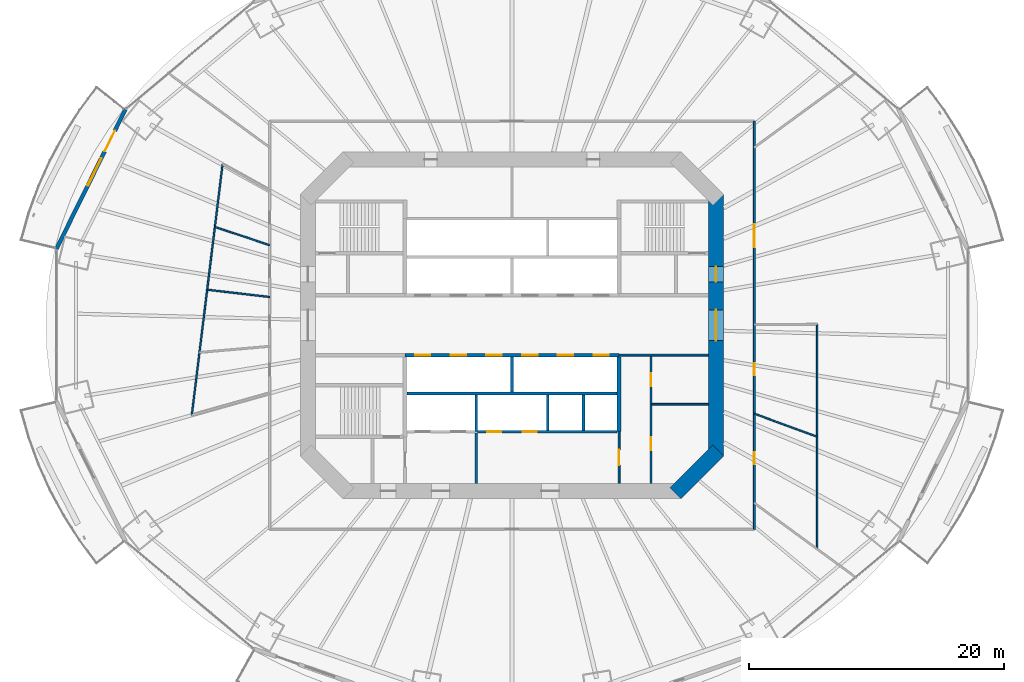
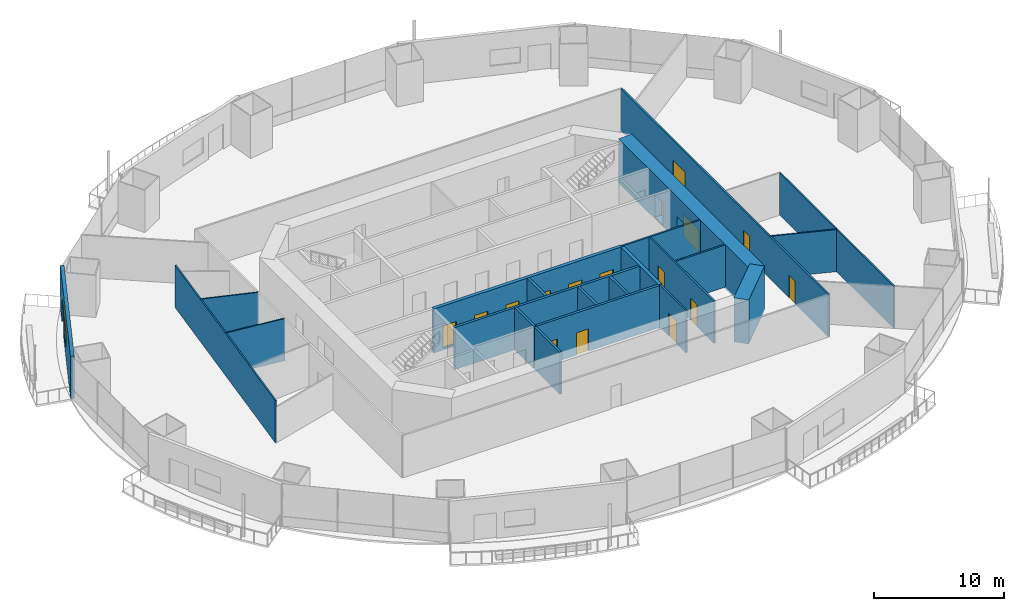
# One storey, part 15 of 23: 22 walls, 17 doors, 1 window, 18 openings.
"""IFC4 building model written with IfcOpenShell, lengths in metres."""

from ifc_helpers import new_model, si_unit, direction, frame, frame_2d, origin, place, context, subcontext, project, spatial, rectangle, extrude, material, layer, layer_set, type_object, element, fill, save


model = new_model("IFC4")

# Units and contexts
model_context = context("Model", 3, precision=1e-05, world=origin(), true_north=direction((0.0, 1.0)))
body_context = subcontext(model_context, "Body", "Model", "MODEL_VIEW")
ifc_project = project(units=[si_unit("LENGTHUNIT", "METRE"), si_unit("AREAUNIT", "SQUARE_METRE"), si_unit("VOLUMEUNIT", "CUBIC_METRE"), si_unit("PLANEANGLEUNIT", "RADIAN"), si_unit("MASSUNIT", "GRAM", prefix="KILO")], contexts=[model_context])

# Site, building, storey
site_placement = place(None, origin())
site = spatial("IfcSite", under=ifc_project, at=site_placement, CompositionType="ELEMENT")
building_placement = place(site_placement, origin())
building = spatial("IfcBuilding", under=site, at=building_placement, Name="Marenthal Gate Tower", CompositionType="ELEMENT")
storey_placement = place(building_placement, frame((0.0, 0.0, 53.75)))
storey = spatial("IfcBuildingStorey", under=building, at=storey_placement, Name="L09", CompositionType="ELEMENT", Elevation=53.75)

# Wall
ifc_material_1 = material(Name="Concrete 60 MPa", Category="concrete")
ifc_layer_1 = layer(ifc_material_1, 1.199951171875)
ifc_layer_set_1 = layer_set([ifc_layer_1], Name="Core shear wall 1200")
wall_type_1 = type_object("IfcWallType", Name="Core shear wall 1200", PredefinedType="SHEAR", material=ifc_layer_set_1)
wall_1_placement = place(storey_placement, frame((12.82421875, -13.17578125, -0.179931640625), z_axis=(0.0, 0.0, 1.0), x_axis=(0.707106781187, 0.707106781187, 0.0)))
element("IfcWall", 1, at=wall_1_placement, inside=storey, type_object=wall_type_1, Name="Core wall 01", PredefinedType="SHEAR", context=body_context, shape_type="SweptSolid", body=[
    extrude(rectangle(XDim=4.73974609375, YDim=1.199951171875, at=frame_2d((2.369873046875, 0.0))), origin(), (0.0, 0.0, 1.0), 4.14990234375),
])

# Wall, openings, doors
wall_2_placement = place(storey_placement, frame((16.0, -10.24853515625, -0.179931640625), z_axis=(0.0, 0.0, 1.0), x_axis=(0.0, 1.0, 0.0)))
wall_2 = element("IfcWall", 2, at=wall_2_placement, inside=storey, type_object=wall_type_1, Name="Core wall 02", PredefinedType="SHEAR", context=body_context, shape_type="SweptSolid", body=[
    extrude(rectangle(XDim=20.4970703125, YDim=1.199951171875, at=frame_2d((10.24853515625, 0.0))), origin(), (0.0, 0.0, 1.0), 4.14990234375),
])
opening_1_placement = place(wall_2_placement, frame((9.048583984375, 0.0, 0.179931640625)))
opening_1 = element("IfcOpeningElement", 3, at=opening_1_placement, cuts=wall_2, Name="Opening D003.02", PredefinedType="OPENING", context=body_context, shape_type="SweptSolid", body=[
    extrude(rectangle(XDim=2.39990234375, YDim=2.10009765625, at=frame_2d((1.199951171875, 1.050048828125))), frame((0.0, 0.60986328125, 0.0), z_axis=(0.0, -1.0, 0.0), x_axis=(1.0, 0.0, 0.0)), (0.0, 0.0, 1.0), 1.219970703125),
])
opening_2_placement = place(wall_2_placement, frame((13.6484375, 0.0, 0.179931640625)))
opening_2 = element("IfcOpeningElement", 4, at=opening_2_placement, cuts=wall_2, Name="Opening D001.05", PredefinedType="OPENING", context=body_context, shape_type="SweptSolid", body=[
    extrude(rectangle(XDim=1.199951171875, YDim=2.10009765625, at=frame_2d((0.60009765625, 1.050048828125))), frame((0.0, 0.60986328125, 0.0), z_axis=(0.0, -1.0, 0.0), x_axis=(1.0, 0.0, 0.0)), (0.0, 0.0, 1.0), 1.219970703125),
])
ifc_material_2 = material(Name="Steel fire door", Category="steel")
door_type_1 = type_object("IfcDoorType", Name="Double fire door FD 45 2400 x 2100", OperationType="DOUBLE_DOOR_SINGLE_SWING", PredefinedType="DOOR", material=ifc_material_2)
door_1_placement = place(opening_1_placement, origin())
door_1 = element("IfcDoor", 5, at=door_1_placement, inside=storey, type_object=door_type_1, Name="Door D003.02", OperationType="DOUBLE_DOOR_SINGLE_SWING", OverallHeight=2.10009765625, OverallWidth=2.39990234375, PredefinedType="DOOR", context=body_context, shape_type="SweptSolid", body=[
    extrude(rectangle(XDim=2.39990234375, YDim=2.10009765625, at=frame_2d((1.199951171875, 1.050048828125))), frame((0.0, 0.02490234375, 0.0), z_axis=(0.0, -1.0, 0.0), x_axis=(1.0, 0.0, 0.0)), (0.0, 0.0, 1.0), 0.050048828125),
])
fill(opening_1, door_1)
ifc_material_3 = material(Name="Steel fire door", Category="steel")
door_type_2 = type_object("IfcDoorType", Name="Fire door FD 90 1200 x 2100", OperationType="NOTDEFINED", PredefinedType="DOOR", material=ifc_material_3)
door_2_placement = place(opening_2_placement, origin())
door_2 = element("IfcDoor", 6, at=door_2_placement, inside=storey, type_object=door_type_2, Name="Door D001.05", OperationType="SINGLE_SWING_RIGHT", OverallHeight=2.10009765625, OverallWidth=1.199951171875, PredefinedType="DOOR", context=body_context, shape_type="SweptSolid", body=[
    extrude(rectangle(XDim=1.199951171875, YDim=2.10009765625, at=frame_2d((0.60009765625, 1.050048828125))), frame((0.0, 0.02490234375, 0.0), z_axis=(0.0, -1.0, 0.0), x_axis=(1.0, 0.0, 0.0)), (0.0, 0.0, 1.0), 0.050048828125),
])
fill(opening_2, door_2)

# Wall
ifc_material_4 = material(Name="Gypsum board on steel studs", Category="steel")
ifc_layer_2 = layer(ifc_material_4, 0.199951171875)
ifc_layer_set_2 = layer_set([ifc_layer_2], Name="Fire lobby wall 200")
wall_type_2 = type_object("IfcWallType", Name="Fire lobby wall 200", PredefinedType="PARTITIONING", material=ifc_layer_set_2)
wall_3_placement = place(storey_placement, frame((-2.800048828125, -12.39990234375, 0.0), z_axis=(0.0, 0.0, 1.0), x_axis=(0.0, 1.0, 0.0)))
element("IfcWall", 7, at=wall_3_placement, inside=storey, type_object=wall_type_2, Name="Fire wall 33", PredefinedType="PARTITIONING", context=body_context, shape_type="SweptSolid", body=[
    extrude(rectangle(XDim=3.93994140625, YDim=0.199951171875, at=frame_2d((1.969970703125, 0.0))), origin(), (0.0, 0.0, 1.0), 3.969970703125),
])

# Wall, openings, doors
ifc_material_5 = material(Name="Concrete 50 MPa", Category="concrete")
ifc_layer_3 = layer(ifc_material_5, 0.300048828125)
ifc_layer_set_3 = layer_set([ifc_layer_3], Name="Hoistway shear wall 300")
wall_type_3 = type_object("IfcWallType", Name="Hoistway shear wall 300", PredefinedType="SHEAR", material=ifc_layer_set_3)
wall_4_placement = place(storey_placement, frame((-8.39990234375, -2.35009765625, -0.179931640625), z_axis=(0.0, 0.0, 1.0), x_axis=(1.0, 0.0, 0.0)))
wall_4 = element("IfcWall", 8, at=wall_4_placement, inside=storey, type_object=wall_type_3, Name="Hoistway wall 16", PredefinedType="SHEAR", context=body_context, shape_type="SweptSolid", body=[
    extrude(rectangle(XDim=16.7998046875, YDim=0.300048828125, at=frame_2d((8.39990234375, 0.0))), origin(), (0.0, 0.0, 1.0), 4.14990234375),
])
opening_3_placement = place(wall_4_placement, frame((0.800048828125, 0.0, 0.179931640625)))
opening_3 = element("IfcOpeningElement", 9, at=opening_3_placement, cuts=wall_4, Name="Opening LD-LP7", PredefinedType="OPENING", context=body_context, shape_type="SweptSolid", body=[
    extrude(rectangle(XDim=1.199951171875, YDim=2.10009765625, at=frame_2d((0.60009765625, 1.050048828125))), frame((0.0, 0.16015625, 0.0), z_axis=(0.0, -1.0, 0.0), x_axis=(1.0, 0.0, 0.0)), (0.0, 0.0, 1.0), 0.320068359375),
])
opening_4_placement = place(wall_4_placement, frame((3.60009765625, 0.0, 0.179931640625)))
opening_4 = element("IfcOpeningElement", 10, at=opening_4_placement, cuts=wall_4, Name="Opening LD-LP8", PredefinedType="OPENING", context=body_context, shape_type="SweptSolid", body=[
    extrude(rectangle(XDim=1.199951171875, YDim=2.10009765625, at=frame_2d((0.60009765625, 1.050048828125))), frame((0.0, 0.16015625, 0.0), z_axis=(0.0, -1.0, 0.0), x_axis=(1.0, 0.0, 0.0)), (0.0, 0.0, 1.0), 0.320068359375),
])
opening_5_placement = place(wall_4_placement, frame((6.39990234375, 0.0, 0.179931640625)))
opening_5 = element("IfcOpeningElement", 11, at=opening_5_placement, cuts=wall_4, Name="Opening LD-LP9", PredefinedType="OPENING", context=body_context, shape_type="SweptSolid", body=[
    extrude(rectangle(XDim=1.199951171875, YDim=2.10009765625, at=frame_2d((0.60009765625, 1.050048828125))), frame((0.0, 0.16015625, 0.0), z_axis=(0.0, -1.0, 0.0), x_axis=(1.0, 0.0, 0.0)), (0.0, 0.0, 1.0), 0.320068359375),
])
opening_6_placement = place(wall_4_placement, frame((9.199951171875, 0.0, 0.179931640625)))
opening_6 = element("IfcOpeningElement", 12, at=opening_6_placement, cuts=wall_4, Name="Opening LD-LP10", PredefinedType="OPENING", context=body_context, shape_type="SweptSolid", body=[
    extrude(rectangle(XDim=1.199951171875, YDim=2.10009765625, at=frame_2d((0.60009765625, 1.050048828125))), frame((0.0, 0.16015625, 0.0), z_axis=(0.0, -1.0, 0.0), x_axis=(1.0, 0.0, 0.0)), (0.0, 0.0, 1.0), 0.320068359375),
])
opening_7_placement = place(wall_4_placement, frame((12.0, 0.0, 0.179931640625)))
opening_7 = element("IfcOpeningElement", 13, at=opening_7_placement, cuts=wall_4, Name="Opening LD-LP11", PredefinedType="OPENING", context=body_context, shape_type="SweptSolid", body=[
    extrude(rectangle(XDim=1.199951171875, YDim=2.10009765625, at=frame_2d((0.60009765625, 1.050048828125))), frame((0.0, 0.16015625, 0.0), z_axis=(0.0, -1.0, 0.0), x_axis=(1.0, 0.0, 0.0)), (0.0, 0.0, 1.0), 0.320068359375),
])
opening_8_placement = place(wall_4_placement, frame((14.800048828125, 0.0, 0.179931640625)))
opening_8 = element("IfcOpeningElement", 14, at=opening_8_placement, cuts=wall_4, Name="Opening LD-LP12", PredefinedType="OPENING", context=body_context, shape_type="SweptSolid", body=[
    extrude(rectangle(XDim=1.199951171875, YDim=2.10009765625, at=frame_2d((0.60009765625, 1.050048828125))), frame((0.0, 0.16015625, 0.0), z_axis=(0.0, -1.0, 0.0), x_axis=(1.0, 0.0, 0.0)), (0.0, 0.0, 1.0), 0.320068359375),
])
ifc_material_6 = material(Name="Stainless steel sliding door", Category="steel")
door_type_3 = type_object("IfcDoorType", Name="Lift landing door FD 90 1200 x 2100", OperationType="DOUBLE_DOOR_SLIDING", PredefinedType="DOOR", material=ifc_material_6)
door_3_placement = place(opening_3_placement, origin())
door_3 = element("IfcDoor", 15, at=door_3_placement, inside=storey, type_object=door_type_3, Name="Lift landing door LP7", OperationType="DOUBLE_DOOR_SLIDING", OverallHeight=2.10009765625, OverallWidth=1.199951171875, PredefinedType="DOOR", context=body_context, shape_type="SweptSolid", body=[
    extrude(rectangle(XDim=1.199951171875, YDim=2.10009765625, at=frame_2d((0.60009765625, 1.050048828125))), frame((0.0, 0.02490234375, 0.0), z_axis=(0.0, -1.0, 0.0), x_axis=(1.0, 0.0, 0.0)), (0.0, 0.0, 1.0), 0.050048828125),
])
fill(opening_3, door_3)
door_4_placement = place(opening_4_placement, origin())
door_4 = element("IfcDoor", 16, at=door_4_placement, inside=storey, type_object=door_type_3, Name="Lift landing door LP8", OperationType="DOUBLE_DOOR_SLIDING", OverallHeight=2.10009765625, OverallWidth=1.199951171875, PredefinedType="DOOR", context=body_context, shape_type="SweptSolid", body=[
    extrude(rectangle(XDim=1.199951171875, YDim=2.10009765625, at=frame_2d((0.60009765625, 1.050048828125))), frame((0.0, 0.02490234375, 0.0), z_axis=(0.0, -1.0, 0.0), x_axis=(1.0, 0.0, 0.0)), (0.0, 0.0, 1.0), 0.050048828125),
])
fill(opening_4, door_4)
door_5_placement = place(opening_5_placement, origin())
door_5 = element("IfcDoor", 17, at=door_5_placement, inside=storey, type_object=door_type_3, Name="Lift landing door LP9", OperationType="DOUBLE_DOOR_SLIDING", OverallHeight=2.10009765625, OverallWidth=1.199951171875, PredefinedType="DOOR", context=body_context, shape_type="SweptSolid", body=[
    extrude(rectangle(XDim=1.199951171875, YDim=2.10009765625, at=frame_2d((0.60009765625, 1.050048828125))), frame((0.0, 0.02490234375, 0.0), z_axis=(0.0, -1.0, 0.0), x_axis=(1.0, 0.0, 0.0)), (0.0, 0.0, 1.0), 0.050048828125),
])
fill(opening_5, door_5)
door_6_placement = place(opening_6_placement, origin())
door_6 = element("IfcDoor", 18, at=door_6_placement, inside=storey, type_object=door_type_3, Name="Lift landing door LP10", OperationType="DOUBLE_DOOR_SLIDING", OverallHeight=2.10009765625, OverallWidth=1.199951171875, PredefinedType="DOOR", context=body_context, shape_type="SweptSolid", body=[
    extrude(rectangle(XDim=1.199951171875, YDim=2.10009765625, at=frame_2d((0.60009765625, 1.050048828125))), frame((0.0, 0.02490234375, 0.0), z_axis=(0.0, -1.0, 0.0), x_axis=(1.0, 0.0, 0.0)), (0.0, 0.0, 1.0), 0.050048828125),
])
fill(opening_6, door_6)
door_7_placement = place(opening_7_placement, origin())
door_7 = element("IfcDoor", 19, at=door_7_placement, inside=storey, type_object=door_type_3, Name="Lift landing door LP11", OperationType="DOUBLE_DOOR_SLIDING", OverallHeight=2.10009765625, OverallWidth=1.199951171875, PredefinedType="DOOR", context=body_context, shape_type="SweptSolid", body=[
    extrude(rectangle(XDim=1.199951171875, YDim=2.10009765625, at=frame_2d((0.60009765625, 1.050048828125))), frame((0.0, 0.02490234375, 0.0), z_axis=(0.0, -1.0, 0.0), x_axis=(1.0, 0.0, 0.0)), (0.0, 0.0, 1.0), 0.050048828125),
])
fill(opening_7, door_7)
door_8_placement = place(opening_8_placement, origin())
door_8 = element("IfcDoor", 20, at=door_8_placement, inside=storey, type_object=door_type_3, Name="Lift landing door LP12", OperationType="DOUBLE_DOOR_SLIDING", OverallHeight=2.10009765625, OverallWidth=1.199951171875, PredefinedType="DOOR", context=body_context, shape_type="SweptSolid", body=[
    extrude(rectangle(XDim=1.199951171875, YDim=2.10009765625, at=frame_2d((0.60009765625, 1.050048828125))), frame((0.0, 0.02490234375, 0.0), z_axis=(0.0, -1.0, 0.0), x_axis=(1.0, 0.0, 0.0)), (0.0, 0.0, 1.0), 0.050048828125),
])
fill(opening_8, door_8)

# Wall
wall_5_placement = place(storey_placement, frame((8.39990234375, -8.35009765625, -0.179931640625), z_axis=(0.0, 0.0, 1.0), x_axis=(0.0, 1.0, 0.0)))
element("IfcWall", 21, at=wall_5_placement, inside=storey, type_object=wall_type_3, Name="Hoistway wall 42", PredefinedType="SHEAR", context=body_context, shape_type="SweptSolid", body=[
    extrude(rectangle(XDim=5.85009765625, YDim=0.300048828125, at=frame_2d((2.925048828125, 0.0))), origin(), (0.0, 0.0, 1.0), 4.14990234375),
])

# Wall, openings, doors
ifc_material_7 = material(Name="Concrete 40 MPa", Category="concrete")
ifc_layer_4 = layer(ifc_material_7, 0.219970703125)
ifc_layer_set_4 = layer_set([ifc_layer_4], Name="Hoistway wall 220")
wall_type_4 = type_object("IfcWallType", Name="Hoistway wall 220", PredefinedType="STANDARD", material=ifc_layer_set_4)
wall_6_placement = place(storey_placement, frame((-2.68994140625, -8.35009765625, 0.0), z_axis=(0.0, 0.0, 1.0), x_axis=(1.0, 0.0, 0.0)))
wall_6 = element("IfcWall", 22, at=wall_6_placement, inside=storey, type_object=wall_type_4, Name="Hoistway wall 11", PredefinedType="STANDARD", context=body_context, shape_type="SweptSolid", body=[
    extrude(rectangle(XDim=10.93994140625, YDim=0.219970703125, at=frame_2d((5.469970703125, 0.0))), origin(), (0.0, 0.0, 1.0), 3.969970703125),
])
opening_9_placement = place(wall_6_placement, frame((0.739990234375, 0.0, 0.0)))
opening_9 = element("IfcOpeningElement", 23, at=opening_9_placement, cuts=wall_6, Name="Opening LD-SV1", PredefinedType="OPENING", context=body_context, shape_type="SweptSolid", body=[
    extrude(rectangle(XDim=1.10009765625, YDim=2.10009765625, at=frame_2d((0.550048828125, 1.050048828125))), frame((0.0, 0.1201171875, 0.0), z_axis=(0.0, -1.0, 0.0), x_axis=(1.0, 0.0, 0.0)), (0.0, 0.0, 1.0), 0.239990234375),
])
opening_10_placement = place(wall_6_placement, frame((3.5400390625, 0.0, 0.0)))
opening_10 = element("IfcOpeningElement", 24, at=opening_10_placement, cuts=wall_6, Name="Opening LD-SV2", PredefinedType="OPENING", context=body_context, shape_type="SweptSolid", body=[
    extrude(rectangle(XDim=1.10009765625, YDim=2.10009765625, at=frame_2d((0.550048828125, 1.050048828125))), frame((0.0, 0.1201171875, 0.0), z_axis=(0.0, -1.0, 0.0), x_axis=(1.0, 0.0, 0.0)), (0.0, 0.0, 1.0), 0.239990234375),
])
ifc_material_8 = material(Name="Stainless steel sliding door", Category="steel")
door_type_4 = type_object("IfcDoorType", Name="Lift landing door FD 90 1100 x 2100", OperationType="DOUBLE_DOOR_SLIDING", PredefinedType="DOOR", material=ifc_material_8)
door_9_placement = place(opening_9_placement, origin())
door_9 = element("IfcDoor", 25, at=door_9_placement, inside=storey, type_object=door_type_4, Name="Lift landing door SV1", OperationType="DOUBLE_DOOR_SLIDING", OverallHeight=2.10009765625, OverallWidth=1.10009765625, PredefinedType="DOOR", context=body_context, shape_type="SweptSolid", body=[
    extrude(rectangle(XDim=1.10009765625, YDim=2.10009765625, at=frame_2d((0.550048828125, 1.050048828125))), frame((0.0, 0.02490234375, 0.0), z_axis=(0.0, -1.0, 0.0), x_axis=(1.0, 0.0, 0.0)), (0.0, 0.0, 1.0), 0.050048828125),
])
fill(opening_9, door_9)
door_10_placement = place(opening_10_placement, origin())
door_10 = element("IfcDoor", 26, at=door_10_placement, inside=storey, type_object=door_type_4, Name="Lift landing door SV2", OperationType="DOUBLE_DOOR_SLIDING", OverallHeight=2.10009765625, OverallWidth=1.10009765625, PredefinedType="DOOR", context=body_context, shape_type="SweptSolid", body=[
    extrude(rectangle(XDim=1.10009765625, YDim=2.10009765625, at=frame_2d((0.550048828125, 1.050048828125))), frame((0.0, 0.02490234375, 0.0), z_axis=(0.0, -1.0, 0.0), x_axis=(1.0, 0.0, 0.0)), (0.0, 0.0, 1.0), 0.050048828125),
])
fill(opening_10, door_10)

# Walls
wall_7_placement = place(storey_placement, frame((-8.25, -5.35009765625, 0.0), z_axis=(0.0, 0.0, 1.0), x_axis=(1.0, 0.0, 0.0)))
element("IfcWall", 27, at=wall_7_placement, inside=storey, type_object=wall_type_4, Name="Hoistway wall 13", PredefinedType="STANDARD", context=body_context, shape_type="SweptSolid", body=[
    extrude(rectangle(XDim=16.5, YDim=0.219970703125, at=frame_2d((8.25, 0.0))), origin(), (0.0, 0.0, 1.0), 3.969970703125),
])
wall_8_placement = place(storey_placement, frame((-2.800048828125, -8.35009765625, 0.0), z_axis=(0.0, 0.0, 1.0), x_axis=(0.0, 1.0, 0.0)))
element("IfcWall", 28, at=wall_8_placement, inside=storey, type_object=wall_type_4, Name="Hoistway wall 34", PredefinedType="STANDARD", context=body_context, shape_type="SweptSolid", body=[
    extrude(rectangle(XDim=2.89013671875, YDim=0.219970703125, at=frame_2d((1.445068359375, 0.0))), origin(), (0.0, 0.0, 1.0), 3.969970703125),
])
wall_9_placement = place(storey_placement, frame((0.0, -5.239990234375, 0.0), z_axis=(0.0, 0.0, 1.0), x_axis=(0.0, 1.0, 0.0)))
element("IfcWall", 29, at=wall_9_placement, inside=storey, type_object=wall_type_4, Name="Hoistway wall 35", PredefinedType="STANDARD", context=body_context, shape_type="SweptSolid", body=[
    extrude(rectangle(XDim=2.739990234375, YDim=0.219970703125, at=frame_2d((1.3701171875, 0.0))), origin(), (0.0, 0.0, 1.0), 3.969970703125),
])
for number, where, z_axis, x_axis, name in (
    (30, (2.800048828125, -8.239990234375, 0.0), (0.0, 0.0, 1.0), (0.0, 1.0, 0.0), "Hoistway wall 38"),
    (31, (5.60009765625, -8.239990234375, 0.0), (0.0, 0.0, 1.0), (0.0, 1.0, 0.0), "Hoistway wall 40"),
):
    element("IfcWall", number, at=place(storey_placement, frame(where, z_axis=z_axis, x_axis=x_axis)), inside=storey, type_object=wall_type_4, Name=name, PredefinedType="STANDARD", context=body_context, shape_type="SweptSolid", body=[
        extrude(rectangle(XDim=2.780029296875, YDim=0.219970703125, at=frame_2d((1.39013671875, 0.0))), origin(), (0.0, 0.0, 1.0), 3.969970703125),
    ])
ifc_material_9 = material(Name="Gypsum board on steel studs", Category="steel")
ifc_layer_5 = layer(ifc_material_9, 0.1201171875)
ifc_layer_set_5 = layer_set([ifc_layer_5], Name="Partition 120")
wall_type_5 = type_object("IfcWallType", Name="Partition 120", PredefinedType="PARTITIONING", material=ifc_layer_set_5)
wall_10_placement = place(storey_placement, frame((-23.902587890625, 2.78369140625, 0.0), z_axis=(0.0, 0.0, 1.0), x_axis=(0.993284661568, -0.115696072078, 0.0)))
element("IfcWall", 32, at=wall_10_placement, inside=storey, type_object=wall_type_5, Name="Partition wall 48", PredefinedType="PARTITIONING", context=body_context, shape_type="SweptSolid", body=[
    extrude(rectangle(XDim=4.935791015625, YDim=0.1201171875, at=frame_2d((2.4677734375, 0.0))), origin(), (0.0, 0.0, 1.0), 3.969970703125),
])
wall_11_placement = place(storey_placement, frame((-23.299072265625, 7.701416015625, 0.0), z_axis=(0.0, 0.0, 1.0), x_axis=(0.949467582408, -0.313865114271, 0.0)))
element("IfcWall", 33, at=wall_11_placement, inside=storey, type_object=wall_type_5, Name="Partition wall 49", PredefinedType="PARTITIONING", context=body_context, shape_type="SweptSolid", body=[
    extrude(rectangle(XDim=4.52783203125, YDim=0.1201171875, at=frame_2d((2.263916015625, 0.0))), origin(), (0.0, 0.0, 1.0), 3.969970703125),
])
wall_12_placement = place(storey_placement, frame((-22.6953125, 12.618896484375, 0.0), z_axis=(0.0, 0.0, 1.0), x_axis=(-0.121832964423, -0.992550617742, 0.0)))
element("IfcWall", 34, at=wall_12_placement, inside=storey, type_object=wall_type_5, Name="Partition wall 50", PredefinedType="PARTITIONING", context=body_context, shape_type="SweptSolid", body=[
    extrude(rectangle(XDim=19.818603515625, YDim=0.1201171875, at=frame_2d((9.9091796875, 0.0))), origin(), (0.0, 0.0, 1.0), 3.969970703125),
])
wall_13_placement = place(storey_placement, frame((23.921630859375, -17.552490234375, 0.0), z_axis=(0.0, 0.0, 1.0), x_axis=(0.0, 1.0, 0.0)))
element("IfcWall", 35, at=wall_13_placement, inside=storey, type_object=wall_type_5, Name="Partition wall 60", PredefinedType="PARTITIONING", context=body_context, shape_type="SweptSolid", body=[
    extrude(rectangle(XDim=17.630615234375, YDim=0.1201171875, at=frame_2d((8.8154296875, 0.0))), origin(), (0.0, 0.0, 1.0), 3.969970703125),
])
wall_14_placement = place(storey_placement, frame((23.921630859375, -8.7373046875, 0.0), z_axis=(0.0, 0.0, 1.0), x_axis=(-0.939306799008, 0.343078325368, 0.0)))
element("IfcWall", 36, at=wall_14_placement, inside=storey, type_object=wall_type_5, Name="Partition wall 61", PredefinedType="PARTITIONING", context=body_context, shape_type="SweptSolid", body=[
    extrude(rectangle(XDim=5.23974609375, YDim=0.1201171875, at=frame_2d((2.619873046875, 0.0))), origin(), (0.0, 0.0, 1.0), 3.969970703125),
])
ifc_material_10 = material(Name="Gypsum board on steel studs", Category="steel")
ifc_layer_6 = layer(ifc_material_10, 0.14990234375)
ifc_layer_set_6 = layer_set([ifc_layer_6], Name="Partition 150")
wall_type_6 = type_object("IfcWallType", Name="Partition 150", PredefinedType="PARTITIONING", material=ifc_layer_set_6)
wall_15_placement = place(storey_placement, frame((10.97509765625, -6.199951171875, 0.0), z_axis=(0.0, 0.0, 1.0), x_axis=(1.0, 0.0, 0.0)))
element("IfcWall", 37, at=wall_15_placement, inside=storey, type_object=wall_type_6, Name="Partition wall 12", PredefinedType="PARTITIONING", context=body_context, shape_type="SweptSolid", body=[
    extrude(rectangle(XDim=4.4248046875, YDim=0.14990234375, at=frame_2d((2.21240234375, 0.0))), origin(), (0.0, 0.0, 1.0), 3.969970703125),
])
wall_16_placement = place(storey_placement, frame((8.39990234375, -2.35009765625, 0.0), z_axis=(0.0, 0.0, 1.0), x_axis=(1.0, 0.0, 0.0)))
element("IfcWall", 38, at=wall_16_placement, inside=storey, type_object=wall_type_6, Name="Partition wall 17", PredefinedType="PARTITIONING", context=body_context, shape_type="SweptSolid", body=[
    extrude(rectangle(XDim=7.0, YDim=0.14990234375, at=frame_2d((3.5, 0.0))), origin(), (0.0, 0.0, 1.0), 3.969970703125),
])

# Wall, opening, door
wall_17_placement = place(storey_placement, frame((8.39990234375, -12.39990234375, 0.0), z_axis=(0.0, 0.0, 1.0), x_axis=(0.0, 1.0, 0.0)))
wall_17 = element("IfcWall", 39, at=wall_17_placement, inside=storey, type_object=wall_type_6, Name="Partition wall 41", PredefinedType="PARTITIONING", context=body_context, shape_type="SweptSolid", body=[
    extrude(rectangle(XDim=4.0498046875, YDim=0.14990234375, at=frame_2d((2.02490234375, 0.0))), origin(), (0.0, 0.0, 1.0), 3.969970703125),
])
opening_11_placement = place(wall_17_placement, frame((1.425048828125, 0.0, 0.0)))
opening_11 = element("IfcOpeningElement", 40, at=opening_11_placement, cuts=wall_17, Name="Opening D006.01", PredefinedType="OPENING", context=body_context, shape_type="SweptSolid", body=[
    extrude(rectangle(XDim=1.199951171875, YDim=2.10009765625, at=frame_2d((0.60009765625, 1.050048828125))), frame((0.0, 0.0849609375, 0.0), z_axis=(0.0, -1.0, 0.0), x_axis=(1.0, 0.0, 0.0)), (0.0, 0.0, 1.0), 0.169921875),
])
ifc_material_11 = material(Name="Steel fire door", Category="steel")
door_type_5 = type_object("IfcDoorType", Name="Fire door FD 45 1200 x 2100", OperationType="NOTDEFINED", PredefinedType="DOOR", material=ifc_material_11)
door_11_placement = place(opening_11_placement, frame((1.199951171875, 0.0, 0.0), z_axis=(0.0, 0.0, 1.0), x_axis=(-1.0, 0.0, 0.0)))
door_11 = element("IfcDoor", 41, at=door_11_placement, inside=storey, type_object=door_type_5, Name="Door D006.01", OperationType="SINGLE_SWING_LEFT", OverallHeight=2.10009765625, OverallWidth=1.199951171875, PredefinedType="DOOR", context=body_context, shape_type="SweptSolid", body=[
    extrude(rectangle(XDim=1.199951171875, YDim=2.10009765625, at=frame_2d((0.60009765625, 1.050048828125))), frame((0.0, 0.02490234375, 0.0), z_axis=(0.0, -1.0, 0.0), x_axis=(1.0, 0.0, 0.0)), (0.0, 0.0, 1.0), 0.050048828125),
])
fill(opening_11, door_11)

# Wall, openings, doors
wall_18_placement = place(storey_placement, frame((10.89990234375, -12.39990234375, 0.0), z_axis=(0.0, 0.0, 1.0), x_axis=(0.0, 1.0, 0.0)))
wall_18 = element("IfcWall", 42, at=wall_18_placement, inside=storey, type_object=wall_type_6, Name="Partition wall 45", PredefinedType="PARTITIONING", context=body_context, shape_type="SweptSolid", body=[
    extrude(rectangle(XDim=9.974853515625, YDim=0.14990234375, at=frame_2d((4.9873046875, 0.0))), origin(), (0.0, 0.0, 1.0), 3.969970703125),
])
opening_12_placement = place(wall_18_placement, frame((7.625, 0.0, 0.0)))
opening_12 = element("IfcOpeningElement", 43, at=opening_12_placement, cuts=wall_18, Name="Opening D005.03", PredefinedType="OPENING", context=body_context, shape_type="SweptSolid", body=[
    extrude(rectangle(XDim=1.0, YDim=2.10009765625, at=frame_2d((0.5, 1.050048828125))), frame((0.0, 0.0849609375, 0.0), z_axis=(0.0, -1.0, 0.0), x_axis=(1.0, 0.0, 0.0)), (0.0, 0.0, 1.0), 0.169921875),
])
opening_13_placement = place(wall_18_placement, frame((2.60009765625, 0.0, 0.0)))
opening_13 = element("IfcOpeningElement", 44, at=opening_13_placement, cuts=wall_18, Name="Opening D005.04", PredefinedType="OPENING", context=body_context, shape_type="SweptSolid", body=[
    extrude(rectangle(XDim=1.0, YDim=2.10009765625, at=frame_2d((0.5, 1.050048828125))), frame((0.0, 0.0849609375, 0.0), z_axis=(0.0, -1.0, 0.0), x_axis=(1.0, 0.0, 0.0)), (0.0, 0.0, 1.0), 0.169921875),
])
ifc_material_12 = material(Name="Steel fire door", Category="steel")
door_type_6 = type_object("IfcDoorType", Name="Fire door FD 45 1000 x 2100", OperationType="NOTDEFINED", PredefinedType="DOOR", material=ifc_material_12)
door_12_placement = place(opening_12_placement, frame((1.0, 0.0, 0.0), z_axis=(0.0, 0.0, 1.0), x_axis=(-1.0, 0.0, 0.0)))
door_12 = element("IfcDoor", 45, at=door_12_placement, inside=storey, type_object=door_type_6, Name="Door D005.03", OperationType="SINGLE_SWING_LEFT", OverallHeight=2.10009765625, OverallWidth=1.0, PredefinedType="DOOR", context=body_context, shape_type="SweptSolid", body=[
    extrude(rectangle(XDim=1.0, YDim=2.10009765625, at=frame_2d((0.5, 1.050048828125))), frame((0.0, 0.02490234375, 0.0), z_axis=(0.0, -1.0, 0.0), x_axis=(1.0, 0.0, 0.0)), (0.0, 0.0, 1.0), 0.050048828125),
])
fill(opening_12, door_12)
door_13_placement = place(opening_13_placement, frame((1.0, 0.0, 0.0), z_axis=(0.0, 0.0, 1.0), x_axis=(-1.0, 0.0, 0.0)))
door_13 = element("IfcDoor", 46, at=door_13_placement, inside=storey, type_object=door_type_6, Name="Door D005.04", OperationType="SINGLE_SWING_LEFT", OverallHeight=2.10009765625, OverallWidth=1.0, PredefinedType="DOOR", context=body_context, shape_type="SweptSolid", body=[
    extrude(rectangle(XDim=1.0, YDim=2.10009765625, at=frame_2d((0.5, 1.050048828125))), frame((0.0, 0.02490234375, 0.0), z_axis=(0.0, -1.0, 0.0), x_axis=(1.0, 0.0, 0.0)), (0.0, 0.0, 1.0), 0.050048828125),
])
fill(opening_13, door_13)

wall_19_placement = place(storey_placement, frame((19.0, 16.0, 0.0), z_axis=(0.0, 0.0, 1.0), x_axis=(0.0, -1.0, 0.0)))
wall_19 = element("IfcWall", 47, at=wall_19_placement, inside=storey, type_object=wall_type_6, Name="Partition wall 59", PredefinedType="PARTITIONING", context=body_context, shape_type="SweptSolid", body=[
    extrude(rectangle(XDim=32.0, YDim=0.14990234375, at=frame_2d((16.0, 0.0))), origin(), (0.0, 0.0, 1.0), 3.969970703125),
])
opening_14_placement = place(wall_19_placement, frame((25.966064453125, 0.0, 0.0)))
opening_14 = element("IfcOpeningElement", 48, at=opening_14_placement, cuts=wall_19, Name="Opening D016.06", PredefinedType="OPENING", context=body_context, shape_type="SweptSolid", body=[
    extrude(rectangle(XDim=0.949951171875, YDim=2.10009765625, at=frame_2d((0.47509765625, 1.050048828125))), frame((0.0, 0.0849609375, 0.0), z_axis=(0.0, -1.0, 0.0), x_axis=(1.0, 0.0, 0.0)), (0.0, 0.0, 1.0), 0.169921875),
])
opening_15_placement = place(wall_19_placement, frame((18.964111328125, 0.0, 0.0)))
opening_15 = element("IfcOpeningElement", 49, at=opening_15_placement, cuts=wall_19, Name="Opening D016.07", PredefinedType="OPENING", context=body_context, shape_type="SweptSolid", body=[
    extrude(rectangle(XDim=0.949951171875, YDim=2.10009765625, at=frame_2d((0.47509765625, 1.050048828125))), frame((0.0, 0.0849609375, 0.0), z_axis=(0.0, -1.0, 0.0), x_axis=(1.0, 0.0, 0.0)), (0.0, 0.0, 1.0), 0.169921875),
])
opening_16_placement = place(wall_19_placement, frame((8.097900390625, 0.0, 0.0)))
opening_16 = element("IfcOpeningElement", 50, at=opening_16_placement, cuts=wall_19, Name="Opening D014.02", PredefinedType="OPENING", context=body_context, shape_type="SweptSolid", body=[
    extrude(rectangle(XDim=1.800048828125, YDim=2.10009765625, at=frame_2d((0.89990234375, 1.050048828125))), frame((0.0, 0.0849609375, 0.0), z_axis=(0.0, -1.0, 0.0), x_axis=(1.0, 0.0, 0.0)), (0.0, 0.0, 1.0), 0.169921875),
])
ifc_material_13 = material(Name="Timber door", Category="wood")
door_type_7 = type_object("IfcDoorType", Name="Door 950 x 2100", OperationType="NOTDEFINED", PredefinedType="DOOR", material=ifc_material_13)
door_14_placement = place(opening_14_placement, origin())
door_14 = element("IfcDoor", 51, at=door_14_placement, inside=storey, type_object=door_type_7, Name="Door D016.06", OperationType="SINGLE_SWING_RIGHT", OverallHeight=2.10009765625, OverallWidth=0.949951171875, PredefinedType="DOOR", context=body_context, shape_type="SweptSolid", body=[
    extrude(rectangle(XDim=0.949951171875, YDim=2.10009765625, at=frame_2d((0.47509765625, 1.050048828125))), frame((0.0, 0.02490234375, 0.0), z_axis=(0.0, -1.0, 0.0), x_axis=(1.0, 0.0, 0.0)), (0.0, 0.0, 1.0), 0.050048828125),
])
fill(opening_14, door_14)
door_15_placement = place(opening_15_placement, origin())
door_15 = element("IfcDoor", 52, at=door_15_placement, inside=storey, type_object=door_type_7, Name="Door D016.07", OperationType="SINGLE_SWING_RIGHT", OverallHeight=2.10009765625, OverallWidth=0.949951171875, PredefinedType="DOOR", context=body_context, shape_type="SweptSolid", body=[
    extrude(rectangle(XDim=0.949951171875, YDim=2.10009765625, at=frame_2d((0.47509765625, 1.050048828125))), frame((0.0, 0.02490234375, 0.0), z_axis=(0.0, -1.0, 0.0), x_axis=(1.0, 0.0, 0.0)), (0.0, 0.0, 1.0), 0.050048828125),
])
fill(opening_15, door_15)
ifc_material_14 = material(Name="Timber door", Category="wood")
door_type_8 = type_object("IfcDoorType", Name="Double door 1800 x 2100", OperationType="DOUBLE_DOOR_SINGLE_SWING", PredefinedType="DOOR", material=ifc_material_14)
door_16_placement = place(opening_16_placement, origin())
door_16 = element("IfcDoor", 53, at=door_16_placement, inside=storey, type_object=door_type_8, Name="Door D014.02", OperationType="DOUBLE_DOOR_SINGLE_SWING", OverallHeight=2.10009765625, OverallWidth=1.800048828125, PredefinedType="DOOR", context=body_context, shape_type="SweptSolid", body=[
    extrude(rectangle(XDim=1.800048828125, YDim=2.10009765625, at=frame_2d((0.89990234375, 1.050048828125))), frame((0.0, 0.02490234375, 0.0), z_axis=(0.0, -1.0, 0.0), x_axis=(1.0, 0.0, 0.0)), (0.0, 0.0, 1.0), 0.050048828125),
])
fill(opening_16, door_16)

# Wall, openings, door, window
ifc_material_15 = material(Name="Terracotta cladding on insulated concrete-block backing", Category="masonry")
ifc_layer_7 = layer(ifc_material_15, 0.300048828125)
ifc_layer_set_7 = layer_set([ifc_layer_7], Name="Terracotta facade wall 300")
wall_type_7 = type_object("IfcWallType", Name="Terracotta facade wall 300", PredefinedType="SOLIDWALL", material=ifc_layer_set_7)
wall_20_placement = place(storey_placement, frame((-30.297119140625, 16.953125, 0.0), z_axis=(0.0, 0.0, 1.0), x_axis=(-0.443341984676, -0.89635254483, 0.0)))
wall_20 = element("IfcWall", 54, at=wall_20_placement, inside=storey, type_object=wall_type_7, Name="Terracotta facade wall L09 bay 7", PredefinedType="SOLIDWALL", context=body_context, shape_type="SweptSolid", body=[
    extrude(rectangle(XDim=12.27197265625, YDim=0.300048828125, at=frame_2d((6.135986328125, 0.0))), origin(), (0.0, 0.0, 1.0), 3.969970703125),
])
opening_17_placement = place(wall_20_placement, frame((1.89990234375, 0.0, 0.0)))
opening_17 = element("IfcOpeningElement", 55, at=opening_17_placement, cuts=wall_20, Name="Opening BD-L09-07", PredefinedType="OPENING", context=body_context, shape_type="SweptSolid", body=[
    extrude(rectangle(XDim=1.800048828125, YDim=2.39990234375, at=frame_2d((0.89990234375, 1.199951171875))), frame((0.0, 0.16015625, 0.0), z_axis=(0.0, -1.0, 0.0), x_axis=(1.0, 0.0, 0.0)), (0.0, 0.0, 1.0), 0.320068359375),
])
opening_18_placement = place(wall_20_placement, frame((4.300048828125, 0.0, 0.89990234375)))
opening_18 = element("IfcOpeningElement", 56, at=opening_18_placement, cuts=wall_20, Name="Opening WN1-L09-07", PredefinedType="OPENING", context=body_context, shape_type="SweptSolid", body=[
    extrude(rectangle(XDim=2.39990234375, YDim=1.5, at=frame_2d((1.199951171875, 0.75))), frame((0.0, 0.16015625, 0.0), z_axis=(0.0, -1.0, 0.0), x_axis=(1.0, 0.0, 0.0)), (0.0, 0.0, 1.0), 0.320068359375),
])
ifc_material_16 = material(Name="Aluminium and glass", Category="aluminium")
door_type_9 = type_object("IfcDoorType", Name="Balcony door 1800x2400", OperationType="DOUBLE_DOOR_SINGLE_SWING", PredefinedType="DOOR", material=ifc_material_16)
door_17_placement = place(opening_17_placement, origin())
door_17 = element("IfcDoor", 57, at=door_17_placement, inside=storey, type_object=door_type_9, Name="Balcony door L09 bay 7", OperationType="SINGLE_SWING_LEFT", OverallHeight=2.39990234375, OverallWidth=1.800048828125, PredefinedType="DOOR", context=body_context, shape_type="SweptSolid", body=[
    extrude(rectangle(XDim=1.800048828125, YDim=2.39990234375, at=frame_2d((0.89990234375, 1.199951171875))), frame((0.0, 0.02490234375, 0.0), z_axis=(0.0, -1.0, 0.0), x_axis=(1.0, 0.0, 0.0)), (0.0, 0.0, 1.0), 0.050048828125),
])
fill(opening_17, door_17)
ifc_material_17 = material(Name="Aluminium and glass", Category="aluminium")
window_type = type_object("IfcWindowType", Name="Window 2400x1500", PartitioningType="TRIPLE_PANEL_VERTICAL", PredefinedType="WINDOW", material=ifc_material_17)
window_placement = place(opening_18_placement, origin())
window = element("IfcWindow", 58, at=window_placement, inside=storey, type_object=window_type, Name="Window L09 bay 7", OverallHeight=1.5, OverallWidth=2.39990234375, PartitioningType="SINGLE_PANEL", PredefinedType="WINDOW", context=body_context, shape_type="SweptSolid", body=[
    extrude(rectangle(XDim=2.39990234375, YDim=1.5, at=frame_2d((1.199951171875, 0.75))), frame((0.0, 0.030029296875, 0.0), z_axis=(0.0, -1.0, 0.0), x_axis=(1.0, 0.0, 0.0)), (0.0, 0.0, 1.0), 0.06005859375),
])
fill(opening_18, window)

save(model, "model.ifc")
